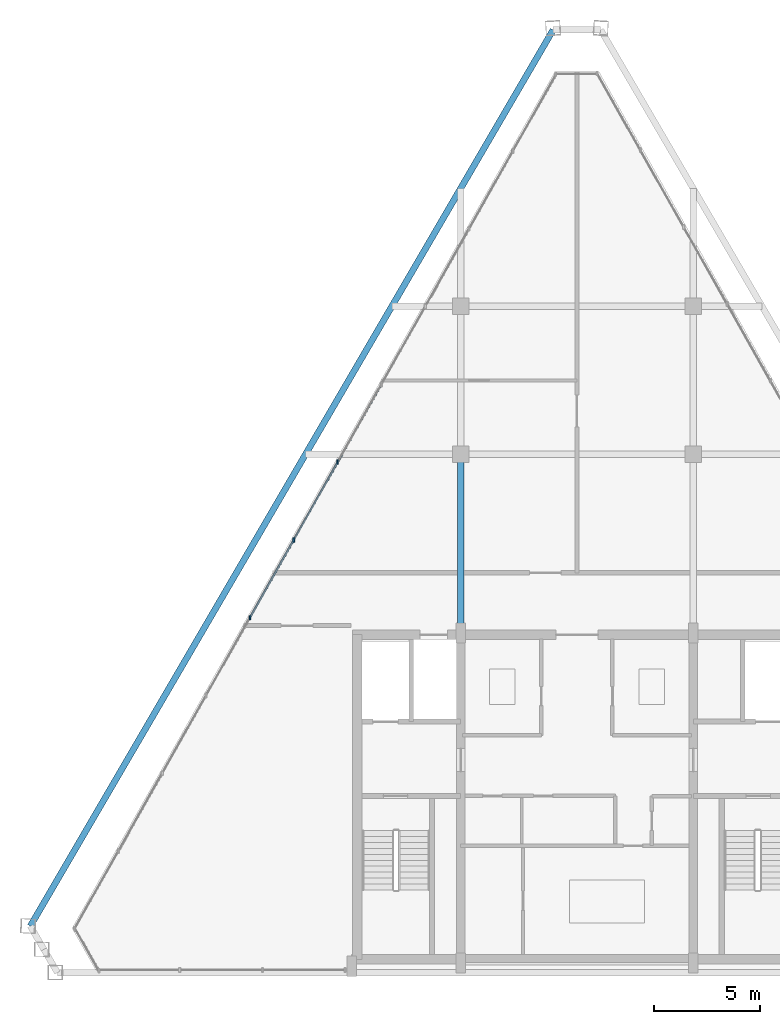
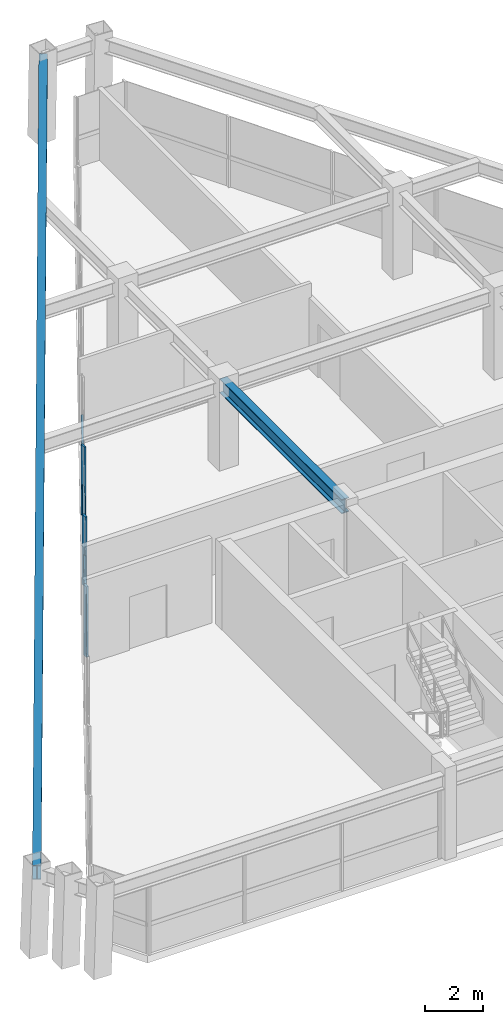
# One storey, part 4 of 12: 6 members, 2 beams, 1 element without a shape of its own.
"""IFC4 building model written with IfcOpenShell, lengths in metres."""

from ifc_helpers import new_model, si_unit, direction, frame, origin, origin_2d, place, context, subcontext, project, spatial, rectangle, i_section, extrude, source, transform, mapped, material, material_profile, profile_set, type_object, type_shapes, element, aggregate, save


model = new_model("IFC4")

# Units and contexts
model_context = context("Model", 3, precision=1e-05, world=origin(), true_north=direction((0.0, 1.0)))
body_context = subcontext(model_context, "Body", "Model", "MODEL_VIEW")
ifc_project = project(units=[si_unit("LENGTHUNIT", "METRE"), si_unit("AREAUNIT", "SQUARE_METRE"), si_unit("VOLUMEUNIT", "CUBIC_METRE"), si_unit("PLANEANGLEUNIT", "RADIAN"), si_unit("MASSUNIT", "GRAM", prefix="KILO")], contexts=[model_context])

# Site, building, storey
site_placement = place(None, origin())
site = spatial("IfcSite", under=ifc_project, at=site_placement, CompositionType="ELEMENT")
building_placement = place(site_placement, origin())
building = spatial("IfcBuilding", under=site, at=building_placement, Name="Varnakhor Terracotta Tower", CompositionType="ELEMENT")
storey_placement = place(building_placement, frame((0.0, 0.0, 321.39990234375)))
storey = spatial("IfcBuildingStorey", under=building, at=storey_placement, Name="L84 Crown", CompositionType="ELEMENT", Elevation=321.39990234375)

# Beams
ifc_material_1 = material(Name="Steel S355", Category="steel")
ifc_material_profile_1 = material_profile(ifc_material_1, i_section(OverallWidth=0.300048828125, OverallDepth=0.60009765625, WebThickness=0.015380859375, FlangeThickness=0.030029296875, FilletRadius=0.01806640625, at=origin_2d()), Name="HEB600")
ifc_profile_set_1 = profile_set([ifc_material_profile_1], Name="Steel S355")
beam_type = type_object("IfcBeamType", Name="BM-HEB600", PredefinedType="BEAM", material=ifc_profile_set_1)
shared_shape_1 = source(origin(), body_context, "Body", "SweptSolid", [
    extrude(i_section(OverallWidth=0.300048828125, OverallDepth=0.60009765625, WebThickness=0.015380859375, FlangeThickness=0.030029296875, FilletRadius=0.01806640625, at=origin_2d()), origin(), (0.0, 0.0, 1.0), 8.449951171875),
])
beam_1_placement = place(storey_placement, frame((-5.5, 16.050048828125, 3.300048828125), z_axis=(0.0, 1.0, 0.0), x_axis=(-1.0, 0.0, 0.0)))
element("IfcBeam", 1, at=beam_1_placement, inside=storey, type_object=beam_type, Name="L84 Crown Primary Girder NS1-W", PredefinedType="BEAM", context=body_context, shape_type="MappedRepresentation", body=[
    mapped(shared_shape_1, transform((0.0, 0.0, 0.0), scale=1.0)),
])
shared_shape_2 = source(origin(), body_context, "Body", "SweptSolid", [
    extrude(i_section(OverallWidth=0.300048828125, OverallDepth=0.60009765625, WebThickness=0.015380859375, FlangeThickness=0.030029296875, FilletRadius=0.01806640625, at=origin_2d()), origin(), (0.0, 0.0, 1.0), 49.05224609375),
])
beam_2_placement = place(storey_placement, frame((-1.12548828125, 44.56689453125, 3.300048828125), z_axis=(-0.503883094453, -0.863771860577, 0.0), x_axis=(0.863771860577, -0.503883094453, 0.0)))
element("IfcBeam", 2, at=beam_2_placement, inside=storey, type_object=beam_type, Name="L84 Crown Perimeter Spandrel 6", PredefinedType="BEAM", context=body_context, shape_type="MappedRepresentation", body=[
    mapped(shared_shape_2, transform((0.0, 0.0, 0.0), scale=1.0)),
])

# Curtain wall, members
ifc_material_2 = material(Name="Anodised Aluminium Curtain Wall System", Category="aluminium")
curtain_wall_type = type_object("IfcCurtainWallType", Name="CW-SYS-CROWN", PredefinedType="NOTDEFINED", material=ifc_material_2)
curtain_wall_placement = place(storey_placement, origin())
curtain_wall = element("IfcCurtainWall", 3, at=curtain_wall_placement, inside=storey, type_object=curtain_wall_type, Name="L84 Crown Facet Curtain Wall 1", PredefinedType="NOTDEFINED")
ifc_material_3 = material(Name="Anodised Aluminium 6063-T6", Category="aluminium")
ifc_material_profile_2 = material_profile(ifc_material_3, rectangle(XDim=0.080078125, YDim=0.205078125, at=origin_2d()), Name="ALU MULLION 80x205")
ifc_profile_set_2 = profile_set([ifc_material_profile_2], Name="Anodised Aluminium 6063-T6")
member_type_1 = type_object("IfcMemberType", Name="CWM-06", PredefinedType="MULLION", material=ifc_profile_set_2)
shared_shape_3 = source(origin(), body_context, "Body", "SweptSolid", [
    extrude(rectangle(XDim=0.080078125, YDim=0.205078125, at=origin_2d()), origin(), (0.0, 0.0, 1.0), 2.97998046875),
])
type_shapes(member_type_1, [shared_shape_3])
member_1_placement = place(storey_placement, frame((-15.459716796875, 16.777587890625, 0.0), z_axis=(0.0, 0.0, 1.0), x_axis=(1.0, 0.0, 0.0)))
member_1 = element("IfcMember", 4, at=member_1_placement, type_object=member_type_1, Name="L84 Crown Facet Curtain Wall 1 Mullion 5", PredefinedType="MULLION", context=body_context, shape_type="MappedRepresentation", body=[
    mapped(shared_shape_3, transform((0.0, 0.0, 0.0), scale=1.0)),
])
member_2_placement = place(storey_placement, frame((-13.386962890625, 20.455078125, 0.0), z_axis=(0.0, 0.0, 1.0), x_axis=(1.0, 0.0, 0.0)))
member_2 = element("IfcMember", 5, at=member_2_placement, type_object=member_type_1, Name="L84 Crown Facet Curtain Wall 1 Mullion 6", PredefinedType="MULLION", context=body_context, shape_type="MappedRepresentation", body=[
    mapped(shared_shape_3, transform((0.0, 0.0, 0.0), scale=1.0)),
])
member_3_placement = place(storey_placement, frame((-11.31396484375, 24.132568359375, 0.0), z_axis=(0.0, 0.0, 1.0), x_axis=(1.0, 0.0, 0.0)))
member_3 = element("IfcMember", 6, at=member_3_placement, type_object=member_type_1, Name="L84 Crown Facet Curtain Wall 1 Mullion 7", PredefinedType="MULLION", context=body_context, shape_type="MappedRepresentation", body=[
    mapped(shared_shape_3, transform((0.0, 0.0, 0.0), scale=1.0)),
])
ifc_material_profile_3 = material_profile(ifc_material_3, rectangle(XDim=0.080078125, YDim=0.179931640625, at=origin_2d()), Name="ALU TRANSOM 80x180")
ifc_profile_set_3 = profile_set([ifc_material_profile_3], Name="Anodised Aluminium 6063-T6")
member_type_2 = type_object("IfcMemberType", Name="CWT-06", PredefinedType="USERDEFINED", material=ifc_profile_set_3)
shared_shape_4 = source(origin(), body_context, "Body", "SweptSolid", [
    extrude(rectangle(XDim=0.080078125, YDim=0.179931640625, at=origin_2d()), origin(), (0.0, 0.0, 1.0), 4.221435546875),
])
member_4_placement = place(storey_placement, frame((-15.459716796875, 16.777587890625, 1.251708984375), z_axis=(0.491010669336, 0.871153558564, 0.0), x_axis=(-0.871153558564, 0.491010669336, 0.0)))
member_4 = element("IfcMember", 7, at=member_4_placement, type_object=member_type_2, Name="L84 Crown Facet Curtain Wall 1 Transom 5", ObjectType="TRANSOM", PredefinedType="USERDEFINED", context=body_context, shape_type="MappedRepresentation", body=[
    mapped(shared_shape_4, transform((0.0, 0.0, 0.0), scale=1.0)),
])
member_5_placement = place(storey_placement, frame((-13.386962890625, 20.455078125, 1.251708984375), z_axis=(0.491054558183, 0.871128819916, 0.0), x_axis=(-0.871128819916, 0.491054558183, 0.0)))
member_5 = element("IfcMember", 8, at=member_5_placement, type_object=member_type_2, Name="L84 Crown Facet Curtain Wall 1 Transom 6", ObjectType="TRANSOM", PredefinedType="USERDEFINED", context=body_context, shape_type="MappedRepresentation", body=[
    mapped(shared_shape_4, transform((0.0, 0.0, 0.0), scale=1.0)),
])
member_6_placement = place(storey_placement, frame((-11.31396484375, 24.132568359375, 1.251708984375), z_axis=(0.491010669336, 0.871153558564, 0.0), x_axis=(-0.871153558564, 0.491010669336, 0.0)))
member_6 = element("IfcMember", 9, at=member_6_placement, type_object=member_type_2, Name="L84 Crown Facet Curtain Wall 1 Transom 7", ObjectType="TRANSOM", PredefinedType="USERDEFINED", context=body_context, shape_type="MappedRepresentation", body=[
    mapped(shared_shape_4, transform((0.0, 0.0, 0.0), scale=1.0)),
])
aggregate(curtain_wall, [member_1, member_4, member_2, member_5, member_3, member_6])

save(model, "model.ifc")
